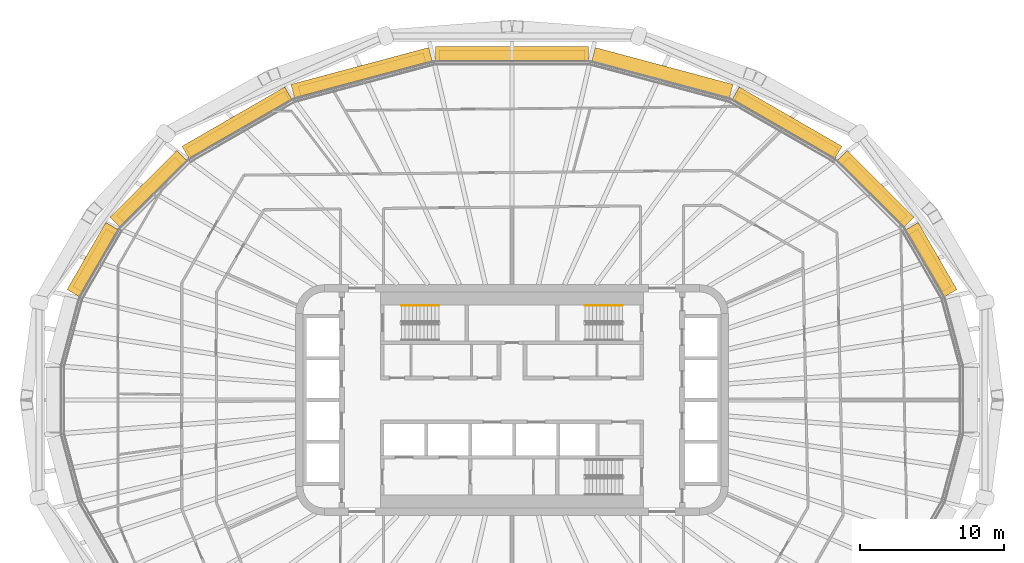
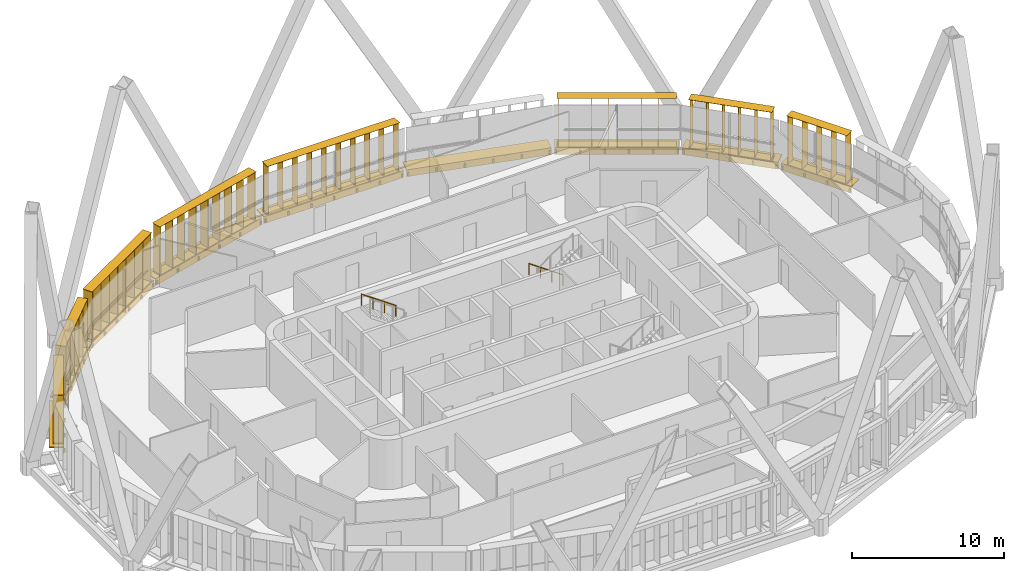
# One storey, part 24 of 25: 17 shading devices, 2 railings.
"""IFC4 building model written with IfcOpenShell, lengths in metres."""

from ifc_helpers import new_model, si_unit, direction, frame, origin, origin_2d, place, context, subcontext, project, spatial, rectangle, circle, extrude, material, type_object, element, save


model = new_model("IFC4")

# Units and contexts
model_context = context("Model", 3, precision=1e-05, world=origin(), true_north=direction((0.0, 1.0)))
body_context = subcontext(model_context, "Body", "Model", "MODEL_VIEW")
ifc_project = project(units=[si_unit("LENGTHUNIT", "METRE"), si_unit("AREAUNIT", "SQUARE_METRE"), si_unit("VOLUMEUNIT", "CUBIC_METRE"), si_unit("PLANEANGLEUNIT", "RADIAN"), si_unit("MASSUNIT", "GRAM", prefix="KILO")], contexts=[model_context])

# Site, building, storey
site_placement = place(None, origin())
site = spatial("IfcSite", under=ifc_project, at=site_placement, CompositionType="ELEMENT")
building_placement = place(site_placement, origin())
building = spatial("IfcBuilding", under=site, at=building_placement, Name="Sahrelin Media Tower", CompositionType="ELEMENT")
storey_placement = place(building_placement, frame((0.0, 0.0, 165.60009765625)))
storey = spatial("IfcBuildingStorey", under=building, at=storey_placement, Name="L34", CompositionType="ELEMENT", Elevation=165.60009765625)

# Shading devices
ifc_material_1 = material(Name="Champagne anodised aluminium 6063-T6", Category="aluminium")
shading_device_type_1 = type_object("IfcShadingDeviceType", Name="Fin cassette", PredefinedType="USERDEFINED", material=ifc_material_1)
placement_1 = place(storey_placement, frame((28.6279296875, 9.4697265625, 0.0), z_axis=(0.0, 0.0, 1.0), x_axis=(0.500011000363, -0.866019052629, 0.0)))
element("IfcShadingDevice", 1, at=placement_1, inside=storey, type_object=shading_device_type_1, Name="L34:FIN:L34-02", ObjectType="FIN", PredefinedType="USERDEFINED", context=body_context, shape_type="SweptSolid", body=[
    extrude(rectangle(XDim=4.60009765625, YDim=0.699951171875, at=origin_2d()), frame((0.0, 0.419921875, 0.0)), (0.0, 0.0, 1.0), 0.02001953125),
    extrude(rectangle(XDim=4.60009765625, YDim=0.699951171875, at=origin_2d()), frame((0.0, 0.419921875, 3.89990234375)), (0.0, 0.0, 1.0), 0.02001953125),
    extrude(rectangle(XDim=0.02001953125, YDim=0.699951171875, at=origin_2d()), frame((-2.199951171875, 0.419921875, 0.010009765625), z_axis=(0.0, 0.0, 1.0), x_axis=(1.0, 0.0, 0.0)), (0.0, 0.0, 1.0), 3.89990234375),
    extrude(rectangle(XDim=0.02001953125, YDim=0.699951171875, at=origin_2d()), frame((-1.10009765625, 0.419921875, 0.010009765625), z_axis=(0.0, 0.0, 1.0), x_axis=(1.0, 0.0, 0.0)), (0.0, 0.0, 1.0), 3.89990234375),
    extrude(rectangle(XDim=0.02001953125, YDim=0.699951171875, at=origin_2d()), frame((0.0, 0.419921875, 0.010009765625), z_axis=(0.0, 0.0, 1.0), x_axis=(1.0, 0.0, 0.0)), (0.0, 0.0, 1.0), 3.89990234375),
    extrude(rectangle(XDim=0.02001953125, YDim=0.699951171875, at=origin_2d()), frame((1.10009765625, 0.419921875, 0.010009765625), z_axis=(0.0, 0.0, 1.0), x_axis=(1.0, 0.0, 0.0)), (0.0, 0.0, 1.0), 3.89990234375),
    extrude(rectangle(XDim=0.02001953125, YDim=0.699951171875, at=origin_2d()), frame((2.199951171875, 0.419921875, 0.010009765625), z_axis=(0.0, 0.0, 1.0), x_axis=(1.0, 0.0, 0.0)), (0.0, 0.0, 1.0), 3.89990234375),
])
placement_2 = place(storey_placement, frame((24.847412109375, 14.268310546875, 0.0), z_axis=(0.0, 0.0, 1.0), x_axis=(0.707106781187, -0.707106781187, 0.0)))
element("IfcShadingDevice", 2, at=placement_2, inside=storey, type_object=shading_device_type_1, Name="L34:FIN:L34-03", ObjectType="FIN", PredefinedType="USERDEFINED", context=body_context, shape_type="SweptSolid", body=[
    extrude(rectangle(XDim=5.699951171875, YDim=0.699951171875, at=origin_2d()), frame((0.0, 0.419921875, 0.0)), (0.0, 0.0, 1.0), 0.02001953125),
    extrude(rectangle(XDim=5.699951171875, YDim=0.699951171875, at=origin_2d()), frame((0.0, 0.419921875, 3.89990234375)), (0.0, 0.0, 1.0), 0.02001953125),
    extrude(rectangle(XDim=0.02001953125, YDim=0.699951171875, at=origin_2d()), frame((-2.75, 0.419921875, 0.010009765625), z_axis=(0.0, 0.0, 1.0), x_axis=(1.0, 0.0, 0.0)), (0.0, 0.0, 1.0), 3.89990234375),
    extrude(rectangle(XDim=0.02001953125, YDim=0.699951171875, at=origin_2d()), frame((-1.64990234375, 0.419921875, 0.010009765625), z_axis=(0.0, 0.0, 1.0), x_axis=(1.0, 0.0, 0.0)), (0.0, 0.0, 1.0), 3.89990234375),
    extrude(rectangle(XDim=0.02001953125, YDim=0.699951171875, at=origin_2d()), frame((-0.550048828125, 0.419921875, 0.010009765625), z_axis=(0.0, 0.0, 1.0), x_axis=(1.0, 0.0, 0.0)), (0.0, 0.0, 1.0), 3.89990234375),
    extrude(rectangle(XDim=0.02001953125, YDim=0.699951171875, at=origin_2d()), frame((0.550048828125, 0.419921875, 0.010009765625), z_axis=(0.0, 0.0, 1.0), x_axis=(1.0, 0.0, 0.0)), (0.0, 0.0, 1.0), 3.89990234375),
    extrude(rectangle(XDim=0.02001953125, YDim=0.699951171875, at=origin_2d()), frame((1.64990234375, 0.419921875, 0.010009765625), z_axis=(0.0, 0.0, 1.0), x_axis=(1.0, 0.0, 0.0)), (0.0, 0.0, 1.0), 3.89990234375),
    extrude(rectangle(XDim=0.02001953125, YDim=0.699951171875, at=origin_2d()), frame((2.75, 0.419921875, 0.010009765625), z_axis=(0.0, 0.0, 1.0), x_axis=(1.0, 0.0, 0.0)), (0.0, 0.0, 1.0), 3.89990234375),
])
placement_3 = place(storey_placement, frame((18.811279296875, 18.76318359375, 0.0), z_axis=(0.0, 0.0, 1.0), x_axis=(0.866019052629, -0.500011000363, 0.0)))
element("IfcShadingDevice", 3, at=placement_3, inside=storey, type_object=shading_device_type_1, Name="L34:FIN:L34-04", ObjectType="FIN", PredefinedType="USERDEFINED", context=body_context, shape_type="SweptSolid", body=[
    extrude(rectangle(XDim=7.89990234375, YDim=0.699951171875, at=origin_2d()), frame((0.0, 0.419921875, 0.0)), (0.0, 0.0, 1.0), 0.02001953125),
    extrude(rectangle(XDim=7.89990234375, YDim=0.699951171875, at=origin_2d()), frame((0.0, 0.419921875, 3.89990234375)), (0.0, 0.0, 1.0), 0.02001953125),
    extrude(rectangle(XDim=0.02001953125, YDim=0.699951171875, at=origin_2d()), frame((-3.85009765625, 0.419921875, 0.010009765625), z_axis=(0.0, 0.0, 1.0), x_axis=(1.0, 0.0, 0.0)), (0.0, 0.0, 1.0), 3.89990234375),
    extrude(rectangle(XDim=0.02001953125, YDim=0.699951171875, at=origin_2d()), frame((-2.75, 0.419921875, 0.010009765625), z_axis=(0.0, 0.0, 1.0), x_axis=(1.0, 0.0, 0.0)), (0.0, 0.0, 1.0), 3.89990234375),
    extrude(rectangle(XDim=0.02001953125, YDim=0.699951171875, at=origin_2d()), frame((-1.64990234375, 0.419921875, 0.010009765625), z_axis=(0.0, 0.0, 1.0), x_axis=(1.0, 0.0, 0.0)), (0.0, 0.0, 1.0), 3.89990234375),
    extrude(rectangle(XDim=0.02001953125, YDim=0.699951171875, at=origin_2d()), frame((-0.550048828125, 0.419921875, 0.010009765625), z_axis=(0.0, 0.0, 1.0), x_axis=(1.0, 0.0, 0.0)), (0.0, 0.0, 1.0), 3.89990234375),
    extrude(rectangle(XDim=0.02001953125, YDim=0.699951171875, at=origin_2d()), frame((0.550048828125, 0.419921875, 0.010009765625), z_axis=(0.0, 0.0, 1.0), x_axis=(1.0, 0.0, 0.0)), (0.0, 0.0, 1.0), 3.89990234375),
    extrude(rectangle(XDim=0.02001953125, YDim=0.699951171875, at=origin_2d()), frame((1.64990234375, 0.419921875, 0.010009765625), z_axis=(0.0, 0.0, 1.0), x_axis=(1.0, 0.0, 0.0)), (0.0, 0.0, 1.0), 3.89990234375),
    extrude(rectangle(XDim=0.02001953125, YDim=0.699951171875, at=origin_2d()), frame((2.75, 0.419921875, 0.010009765625), z_axis=(0.0, 0.0, 1.0), x_axis=(1.0, 0.0, 0.0)), (0.0, 0.0, 1.0), 3.89990234375),
    extrude(rectangle(XDim=0.02001953125, YDim=0.699951171875, at=origin_2d()), frame((3.85009765625, 0.419921875, 0.010009765625), z_axis=(0.0, 0.0, 1.0), x_axis=(1.0, 0.0, 0.0)), (0.0, 0.0, 1.0), 3.89990234375),
])
placement_4 = place(storey_placement, frame((0.0, 23.480712890625, 0.0), z_axis=(0.0, 0.0, 1.0), x_axis=(1.0, 0.0, 0.0)))
element("IfcShadingDevice", 4, at=placement_4, inside=storey, type_object=shading_device_type_1, Name="L34:FIN:L34-06", ObjectType="FIN", PredefinedType="USERDEFINED", context=body_context, shape_type="SweptSolid", body=[
    extrude(rectangle(XDim=10.10009765625, YDim=0.699951171875, at=origin_2d()), frame((0.0, 0.419921875, 0.0)), (0.0, 0.0, 1.0), 0.02001953125),
    extrude(rectangle(XDim=10.10009765625, YDim=0.699951171875, at=origin_2d()), frame((0.0, 0.419921875, 3.89990234375)), (0.0, 0.0, 1.0), 0.02001953125),
    extrude(rectangle(XDim=0.02001953125, YDim=0.699951171875, at=origin_2d()), frame((-4.949951171875, 0.419921875, 0.010009765625), z_axis=(0.0, 0.0, 1.0), x_axis=(1.0, 0.0, 0.0)), (0.0, 0.0, 1.0), 3.89990234375),
    extrude(rectangle(XDim=0.02001953125, YDim=0.699951171875, at=origin_2d()), frame((-3.85009765625, 0.419921875, 0.010009765625), z_axis=(0.0, 0.0, 1.0), x_axis=(1.0, 0.0, 0.0)), (0.0, 0.0, 1.0), 3.89990234375),
    extrude(rectangle(XDim=0.02001953125, YDim=0.699951171875, at=origin_2d()), frame((-2.75, 0.419921875, 0.010009765625), z_axis=(0.0, 0.0, 1.0), x_axis=(1.0, 0.0, 0.0)), (0.0, 0.0, 1.0), 3.89990234375),
    extrude(rectangle(XDim=0.02001953125, YDim=0.699951171875, at=origin_2d()), frame((-1.64990234375, 0.419921875, 0.010009765625), z_axis=(0.0, 0.0, 1.0), x_axis=(1.0, 0.0, 0.0)), (0.0, 0.0, 1.0), 3.89990234375),
    extrude(rectangle(XDim=0.02001953125, YDim=0.699951171875, at=origin_2d()), frame((-0.550048828125, 0.419921875, 0.010009765625), z_axis=(0.0, 0.0, 1.0), x_axis=(1.0, 0.0, 0.0)), (0.0, 0.0, 1.0), 3.89990234375),
    extrude(rectangle(XDim=0.02001953125, YDim=0.699951171875, at=origin_2d()), frame((0.550048828125, 0.419921875, 0.010009765625), z_axis=(0.0, 0.0, 1.0), x_axis=(1.0, 0.0, 0.0)), (0.0, 0.0, 1.0), 3.89990234375),
    extrude(rectangle(XDim=0.02001953125, YDim=0.699951171875, at=origin_2d()), frame((1.64990234375, 0.419921875, 0.010009765625), z_axis=(0.0, 0.0, 1.0), x_axis=(1.0, 0.0, 0.0)), (0.0, 0.0, 1.0), 3.89990234375),
    extrude(rectangle(XDim=0.02001953125, YDim=0.699951171875, at=origin_2d()), frame((2.75, 0.419921875, 0.010009765625), z_axis=(0.0, 0.0, 1.0), x_axis=(1.0, 0.0, 0.0)), (0.0, 0.0, 1.0), 3.89990234375),
    extrude(rectangle(XDim=0.02001953125, YDim=0.699951171875, at=origin_2d()), frame((3.85009765625, 0.419921875, 0.010009765625), z_axis=(0.0, 0.0, 1.0), x_axis=(1.0, 0.0, 0.0)), (0.0, 0.0, 1.0), 3.89990234375),
    extrude(rectangle(XDim=0.02001953125, YDim=0.699951171875, at=origin_2d()), frame((4.949951171875, 0.419921875, 0.010009765625), z_axis=(0.0, 0.0, 1.0), x_axis=(1.0, 0.0, 0.0)), (0.0, 0.0, 1.0), 3.89990234375),
])
placement_5 = place(storey_placement, frame((-10.29052734375, 22.1748046875, 0.0), z_axis=(0.0, 0.0, 1.0), x_axis=(0.965928857556, 0.258807731996, 0.0)))
element("IfcShadingDevice", 5, at=placement_5, inside=storey, type_object=shading_device_type_1, Name="L34:FIN:L34-07", ObjectType="FIN", PredefinedType="USERDEFINED", context=body_context, shape_type="SweptSolid", body=[
    extrude(rectangle(XDim=9.0, YDim=0.699951171875, at=origin_2d()), frame((0.0, 0.419921875, 0.0)), (0.0, 0.0, 1.0), 0.02001953125),
    extrude(rectangle(XDim=9.0, YDim=0.699951171875, at=origin_2d()), frame((0.0, 0.419921875, 3.89990234375)), (0.0, 0.0, 1.0), 0.02001953125),
    extrude(rectangle(XDim=0.02001953125, YDim=0.699951171875, at=origin_2d()), frame((-4.39990234375, 0.419921875, 0.010009765625), z_axis=(0.0, 0.0, 1.0), x_axis=(1.0, 0.0, 0.0)), (0.0, 0.0, 1.0), 3.89990234375),
    extrude(rectangle(XDim=0.02001953125, YDim=0.699951171875, at=origin_2d()), frame((-3.300048828125, 0.419921875, 0.010009765625), z_axis=(0.0, 0.0, 1.0), x_axis=(1.0, 0.0, 0.0)), (0.0, 0.0, 1.0), 3.89990234375),
    extrude(rectangle(XDim=0.02001953125, YDim=0.699951171875, at=origin_2d()), frame((-2.199951171875, 0.419921875, 0.010009765625), z_axis=(0.0, 0.0, 1.0), x_axis=(1.0, 0.0, 0.0)), (0.0, 0.0, 1.0), 3.89990234375),
    extrude(rectangle(XDim=0.02001953125, YDim=0.699951171875, at=origin_2d()), frame((-1.10009765625, 0.419921875, 0.010009765625), z_axis=(0.0, 0.0, 1.0), x_axis=(1.0, 0.0, 0.0)), (0.0, 0.0, 1.0), 3.89990234375),
    extrude(rectangle(XDim=0.02001953125, YDim=0.699951171875, at=origin_2d()), frame((0.0, 0.419921875, 0.010009765625), z_axis=(0.0, 0.0, 1.0), x_axis=(1.0, 0.0, 0.0)), (0.0, 0.0, 1.0), 3.89990234375),
    extrude(rectangle(XDim=0.02001953125, YDim=0.699951171875, at=origin_2d()), frame((1.10009765625, 0.419921875, 0.010009765625), z_axis=(0.0, 0.0, 1.0), x_axis=(1.0, 0.0, 0.0)), (0.0, 0.0, 1.0), 3.89990234375),
    extrude(rectangle(XDim=0.02001953125, YDim=0.699951171875, at=origin_2d()), frame((2.199951171875, 0.419921875, 0.010009765625), z_axis=(0.0, 0.0, 1.0), x_axis=(1.0, 0.0, 0.0)), (0.0, 0.0, 1.0), 3.89990234375),
    extrude(rectangle(XDim=0.02001953125, YDim=0.699951171875, at=origin_2d()), frame((3.300048828125, 0.419921875, 0.010009765625), z_axis=(0.0, 0.0, 1.0), x_axis=(1.0, 0.0, 0.0)), (0.0, 0.0, 1.0), 3.89990234375),
    extrude(rectangle(XDim=0.02001953125, YDim=0.699951171875, at=origin_2d()), frame((4.39990234375, 0.419921875, 0.010009765625), z_axis=(0.0, 0.0, 1.0), x_axis=(1.0, 0.0, 0.0)), (0.0, 0.0, 1.0), 3.89990234375),
])
placement_6 = place(storey_placement, frame((-18.81103515625, 18.76318359375, 0.0), z_axis=(0.0, 0.0, 1.0), x_axis=(0.866019052629, 0.500011000363, 0.0)))
element("IfcShadingDevice", 6, at=placement_6, inside=storey, type_object=shading_device_type_1, Name="L34:FIN:L34-08", ObjectType="FIN", PredefinedType="USERDEFINED", context=body_context, shape_type="SweptSolid", body=[
    extrude(rectangle(XDim=7.89990234375, YDim=0.699951171875, at=origin_2d()), frame((0.0, 0.419921875, 0.0)), (0.0, 0.0, 1.0), 0.02001953125),
    extrude(rectangle(XDim=7.89990234375, YDim=0.699951171875, at=origin_2d()), frame((0.0, 0.419921875, 3.89990234375)), (0.0, 0.0, 1.0), 0.02001953125),
    extrude(rectangle(XDim=0.02001953125, YDim=0.699951171875, at=origin_2d()), frame((-3.85009765625, 0.419921875, 0.010009765625), z_axis=(0.0, 0.0, 1.0), x_axis=(1.0, 0.0, 0.0)), (0.0, 0.0, 1.0), 3.89990234375),
    extrude(rectangle(XDim=0.02001953125, YDim=0.699951171875, at=origin_2d()), frame((-2.75, 0.419921875, 0.010009765625), z_axis=(0.0, 0.0, 1.0), x_axis=(1.0, 0.0, 0.0)), (0.0, 0.0, 1.0), 3.89990234375),
    extrude(rectangle(XDim=0.02001953125, YDim=0.699951171875, at=origin_2d()), frame((-1.64990234375, 0.419921875, 0.010009765625), z_axis=(0.0, 0.0, 1.0), x_axis=(1.0, 0.0, 0.0)), (0.0, 0.0, 1.0), 3.89990234375),
    extrude(rectangle(XDim=0.02001953125, YDim=0.699951171875, at=origin_2d()), frame((-0.550048828125, 0.419921875, 0.010009765625), z_axis=(0.0, 0.0, 1.0), x_axis=(1.0, 0.0, 0.0)), (0.0, 0.0, 1.0), 3.89990234375),
    extrude(rectangle(XDim=0.02001953125, YDim=0.699951171875, at=origin_2d()), frame((0.550048828125, 0.419921875, 0.010009765625), z_axis=(0.0, 0.0, 1.0), x_axis=(1.0, 0.0, 0.0)), (0.0, 0.0, 1.0), 3.89990234375),
    extrude(rectangle(XDim=0.02001953125, YDim=0.699951171875, at=origin_2d()), frame((1.64990234375, 0.419921875, 0.010009765625), z_axis=(0.0, 0.0, 1.0), x_axis=(1.0, 0.0, 0.0)), (0.0, 0.0, 1.0), 3.89990234375),
    extrude(rectangle(XDim=0.02001953125, YDim=0.699951171875, at=origin_2d()), frame((2.75, 0.419921875, 0.010009765625), z_axis=(0.0, 0.0, 1.0), x_axis=(1.0, 0.0, 0.0)), (0.0, 0.0, 1.0), 3.89990234375),
    extrude(rectangle(XDim=0.02001953125, YDim=0.699951171875, at=origin_2d()), frame((3.85009765625, 0.419921875, 0.010009765625), z_axis=(0.0, 0.0, 1.0), x_axis=(1.0, 0.0, 0.0)), (0.0, 0.0, 1.0), 3.89990234375),
])
placement_7 = place(storey_placement, frame((-24.84765625, 14.268310546875, 0.0), z_axis=(0.0, 0.0, 1.0), x_axis=(0.707106781187, 0.707106781187, 0.0)))
element("IfcShadingDevice", 7, at=placement_7, inside=storey, type_object=shading_device_type_1, Name="L34:FIN:L34-09", ObjectType="FIN", PredefinedType="USERDEFINED", context=body_context, shape_type="SweptSolid", body=[
    extrude(rectangle(XDim=5.699951171875, YDim=0.699951171875, at=origin_2d()), frame((0.0, 0.419921875, 0.0)), (0.0, 0.0, 1.0), 0.02001953125),
    extrude(rectangle(XDim=5.699951171875, YDim=0.699951171875, at=origin_2d()), frame((0.0, 0.419921875, 3.89990234375)), (0.0, 0.0, 1.0), 0.02001953125),
    extrude(rectangle(XDim=0.02001953125, YDim=0.699951171875, at=origin_2d()), frame((-2.75, 0.419921875, 0.010009765625), z_axis=(0.0, 0.0, 1.0), x_axis=(1.0, 0.0, 0.0)), (0.0, 0.0, 1.0), 3.89990234375),
    extrude(rectangle(XDim=0.02001953125, YDim=0.699951171875, at=origin_2d()), frame((-1.64990234375, 0.419921875, 0.010009765625), z_axis=(0.0, 0.0, 1.0), x_axis=(1.0, 0.0, 0.0)), (0.0, 0.0, 1.0), 3.89990234375),
    extrude(rectangle(XDim=0.02001953125, YDim=0.699951171875, at=origin_2d()), frame((-0.550048828125, 0.419921875, 0.010009765625), z_axis=(0.0, 0.0, 1.0), x_axis=(1.0, 0.0, 0.0)), (0.0, 0.0, 1.0), 3.89990234375),
    extrude(rectangle(XDim=0.02001953125, YDim=0.699951171875, at=origin_2d()), frame((0.550048828125, 0.419921875, 0.010009765625), z_axis=(0.0, 0.0, 1.0), x_axis=(1.0, 0.0, 0.0)), (0.0, 0.0, 1.0), 3.89990234375),
    extrude(rectangle(XDim=0.02001953125, YDim=0.699951171875, at=origin_2d()), frame((1.64990234375, 0.419921875, 0.010009765625), z_axis=(0.0, 0.0, 1.0), x_axis=(1.0, 0.0, 0.0)), (0.0, 0.0, 1.0), 3.89990234375),
    extrude(rectangle(XDim=0.02001953125, YDim=0.699951171875, at=origin_2d()), frame((2.75, 0.419921875, 0.010009765625), z_axis=(0.0, 0.0, 1.0), x_axis=(1.0, 0.0, 0.0)), (0.0, 0.0, 1.0), 3.89990234375),
])
placement_8 = place(storey_placement, frame((-28.627685546875, 9.4697265625, 0.0), z_axis=(0.0, 0.0, 1.0), x_axis=(0.500011000363, 0.866019052629, 0.0)))
element("IfcShadingDevice", 8, at=placement_8, inside=storey, type_object=shading_device_type_1, Name="L34:FIN:L34-10", ObjectType="FIN", PredefinedType="USERDEFINED", context=body_context, shape_type="SweptSolid", body=[
    extrude(rectangle(XDim=4.60009765625, YDim=0.699951171875, at=origin_2d()), frame((0.0, 0.419921875, 0.0)), (0.0, 0.0, 1.0), 0.02001953125),
    extrude(rectangle(XDim=4.60009765625, YDim=0.699951171875, at=origin_2d()), frame((0.0, 0.419921875, 3.89990234375)), (0.0, 0.0, 1.0), 0.02001953125),
    extrude(rectangle(XDim=0.02001953125, YDim=0.699951171875, at=origin_2d()), frame((-2.199951171875, 0.419921875, 0.010009765625), z_axis=(0.0, 0.0, 1.0), x_axis=(1.0, 0.0, 0.0)), (0.0, 0.0, 1.0), 3.89990234375),
    extrude(rectangle(XDim=0.02001953125, YDim=0.699951171875, at=origin_2d()), frame((-1.10009765625, 0.419921875, 0.010009765625), z_axis=(0.0, 0.0, 1.0), x_axis=(1.0, 0.0, 0.0)), (0.0, 0.0, 1.0), 3.89990234375),
    extrude(rectangle(XDim=0.02001953125, YDim=0.699951171875, at=origin_2d()), frame((0.0, 0.419921875, 0.010009765625), z_axis=(0.0, 0.0, 1.0), x_axis=(1.0, 0.0, 0.0)), (0.0, 0.0, 1.0), 3.89990234375),
    extrude(rectangle(XDim=0.02001953125, YDim=0.699951171875, at=origin_2d()), frame((1.10009765625, 0.419921875, 0.010009765625), z_axis=(0.0, 0.0, 1.0), x_axis=(1.0, 0.0, 0.0)), (0.0, 0.0, 1.0), 3.89990234375),
    extrude(rectangle(XDim=0.02001953125, YDim=0.699951171875, at=origin_2d()), frame((2.199951171875, 0.419921875, 0.010009765625), z_axis=(0.0, 0.0, 1.0), x_axis=(1.0, 0.0, 0.0)), (0.0, 0.0, 1.0), 3.89990234375),
])

# Railings
ifc_material_2 = material(Name="Steel S355", Category="steel")
railing_type = type_object("IfcRailingType", Name="Stair handrail 900", PredefinedType="HANDRAIL", material=ifc_material_2)
for number, where, name in (
    (9, (-5.074951171875, 6.550048828125, 2.181640625), "L34 ST1 stair handrail 2"),
    (10, (7.675048828125, 6.550048828125, 0.181640625), "L34 ST3 stair handrail 1"),
):
    element("IfcRailing", number, at=place(storey_placement, frame(where)), inside=storey, type_object=railing_type, Name=name, PredefinedType="HANDRAIL", context=body_context, shape_type="SweptSolid", body=[
        extrude(circle(Radius=0.02392578125, at=origin_2d()), frame((0.0, 0.0, 0.8759765625), z_axis=(-0.819484887739, 0.0, 0.573100792852), x_axis=(0.0, -1.0, 0.0)), (0.0, 0.0, 1.0), 3.1728515625),
        extrude(circle(Radius=0.02099609375, at=origin_2d()), origin(), (0.0, 0.0, 1.0), 0.851806640625),
        extrude(circle(Radius=0.02099609375, at=origin_2d()), frame((-0.86669921875, 0.0, 0.606201171875)), (0.0, 0.0, 1.0), 0.851806640625),
        extrude(circle(Radius=0.02099609375, at=origin_2d()), frame((-1.7333984375, 0.0, 1.212158203125)), (0.0, 0.0, 1.0), 0.851806640625),
        extrude(circle(Radius=0.02099609375, at=origin_2d()), frame((-2.60009765625, 0.0, 1.818359375)), (0.0, 0.0, 1.0), 0.851806640625),
    ])

# Shading devices
shading_device_type_2 = type_object("IfcShadingDeviceType", Name="Sunshade band", PredefinedType="USERDEFINED", material=ifc_material_1)
element("IfcShadingDevice", 11, at=placement_1, inside=storey, type_object=shading_device_type_2, Name="L34:SUN:L34-02", ObjectType="SUNSHADE", PredefinedType="USERDEFINED", context=body_context, shape_type="SweptSolid", body=[
    extrude(rectangle(XDim=5.36328125, YDim=0.050048828125, at=origin_2d()), frame((0.0, 0.044921875, -0.55126953125)), (0.0, 0.0, 1.0), 0.471435546875),
    extrude(rectangle(XDim=5.36328125, YDim=1.0, at=origin_2d()), frame((0.0, 0.52001953125, -0.080078125)), (0.0, 0.0, 1.0), 0.080078125),
    extrude(rectangle(XDim=0.10009765625, YDim=0.074951171875, at=origin_2d()), frame((-2.581787109375, -0.017578125, -0.47021484375)), (0.0, 0.0, 1.0), 0.300048828125),
    extrude(rectangle(XDim=0.10009765625, YDim=0.074951171875, at=origin_2d()), frame((-0.860595703125, -0.017578125, -0.47021484375)), (0.0, 0.0, 1.0), 0.300048828125),
    extrude(rectangle(XDim=0.10009765625, YDim=0.074951171875, at=origin_2d()), frame((0.860595703125, -0.017578125, -0.47021484375)), (0.0, 0.0, 1.0), 0.300048828125),
    extrude(rectangle(XDim=0.10009765625, YDim=0.074951171875, at=origin_2d()), frame((2.581787109375, -0.017578125, -0.47021484375)), (0.0, 0.0, 1.0), 0.300048828125),
])
element("IfcShadingDevice", 12, at=placement_2, inside=storey, type_object=shading_device_type_2, Name="L34:SUN:L34-03", ObjectType="SUNSHADE", PredefinedType="USERDEFINED", context=body_context, shape_type="SweptSolid", body=[
    extrude(rectangle(XDim=6.55859375, YDim=0.050048828125, at=origin_2d()), frame((0.0, 0.044921875, -0.55126953125)), (0.0, 0.0, 1.0), 0.471435546875),
    extrude(rectangle(XDim=6.55859375, YDim=1.0, at=origin_2d()), frame((0.0, 0.52001953125, -0.080078125)), (0.0, 0.0, 1.0), 0.080078125),
    extrude(rectangle(XDim=0.10009765625, YDim=0.074951171875, at=origin_2d()), frame((-3.17919921875, -0.017578125, -0.47021484375)), (0.0, 0.0, 1.0), 0.300048828125),
    extrude(rectangle(XDim=0.10009765625, YDim=0.074951171875, at=origin_2d()), frame((-1.589599609375, -0.017578125, -0.47021484375)), (0.0, 0.0, 1.0), 0.300048828125),
    extrude(rectangle(XDim=0.10009765625, YDim=0.074951171875, at=origin_2d()), frame((0.0, -0.017578125, -0.47021484375)), (0.0, 0.0, 1.0), 0.300048828125),
    extrude(rectangle(XDim=0.10009765625, YDim=0.074951171875, at=origin_2d()), frame((1.589599609375, -0.017578125, -0.47021484375)), (0.0, 0.0, 1.0), 0.300048828125),
    extrude(rectangle(XDim=0.10009765625, YDim=0.074951171875, at=origin_2d()), frame((3.17919921875, -0.017578125, -0.47021484375)), (0.0, 0.0, 1.0), 0.300048828125),
])
element("IfcShadingDevice", 13, at=placement_3, inside=storey, type_object=shading_device_type_2, Name="L34:SUN:L34-04", ObjectType="SUNSHADE", PredefinedType="USERDEFINED", context=body_context, shape_type="SweptSolid", body=[
    extrude(rectangle(XDim=8.222412109375, YDim=0.050048828125, at=origin_2d()), frame((0.0, 0.044921875, -0.55126953125)), (0.0, 0.0, 1.0), 0.471435546875),
    extrude(rectangle(XDim=8.222412109375, YDim=1.0, at=origin_2d()), frame((0.0, 0.52001953125, -0.080078125)), (0.0, 0.0, 1.0), 0.080078125),
    extrude(rectangle(XDim=0.10009765625, YDim=0.074951171875, at=origin_2d()), frame((-4.010986328125, -0.017578125, -0.47021484375)), (0.0, 0.0, 1.0), 0.300048828125),
    extrude(rectangle(XDim=0.10009765625, YDim=0.074951171875, at=origin_2d()), frame((-2.40673828125, -0.017578125, -0.47021484375)), (0.0, 0.0, 1.0), 0.300048828125),
    extrude(rectangle(XDim=0.10009765625, YDim=0.074951171875, at=origin_2d()), frame((-0.80224609375, -0.017578125, -0.47021484375)), (0.0, 0.0, 1.0), 0.300048828125),
    extrude(rectangle(XDim=0.10009765625, YDim=0.074951171875, at=origin_2d()), frame((0.80224609375, -0.017578125, -0.47021484375)), (0.0, 0.0, 1.0), 0.300048828125),
    extrude(rectangle(XDim=0.10009765625, YDim=0.074951171875, at=origin_2d()), frame((2.40673828125, -0.017578125, -0.47021484375)), (0.0, 0.0, 1.0), 0.300048828125),
    extrude(rectangle(XDim=0.10009765625, YDim=0.074951171875, at=origin_2d()), frame((4.010986328125, -0.017578125, -0.47021484375)), (0.0, 0.0, 1.0), 0.300048828125),
])
shading_device_12_placement = place(storey_placement, frame((10.29052734375, 22.1748046875, 0.0), z_axis=(0.0, 0.0, 1.0), x_axis=(0.965928857556, -0.258807731996, 0.0)))
element("IfcShadingDevice", 14, at=shading_device_12_placement, inside=storey, type_object=shading_device_type_2, Name="L34:SUN:L34-05", ObjectType="SUNSHADE", PredefinedType="USERDEFINED", context=body_context, shape_type="SweptSolid", body=[
    extrude(rectangle(XDim=9.89111328125, YDim=0.050048828125, at=origin_2d()), frame((0.0, 0.044921875, -0.55126953125)), (0.0, 0.0, 1.0), 0.471435546875),
    extrude(rectangle(XDim=9.89111328125, YDim=1.0, at=origin_2d()), frame((0.0, 0.52001953125, -0.080078125)), (0.0, 0.0, 1.0), 0.080078125),
    extrude(rectangle(XDim=0.10009765625, YDim=0.074951171875, at=origin_2d()), frame((-4.845703125, -0.017578125, -0.47021484375)), (0.0, 0.0, 1.0), 0.300048828125),
    extrude(rectangle(XDim=0.10009765625, YDim=0.074951171875, at=origin_2d()), frame((-2.907470703125, -0.017578125, -0.47021484375)), (0.0, 0.0, 1.0), 0.300048828125),
    extrude(rectangle(XDim=0.10009765625, YDim=0.074951171875, at=origin_2d()), frame((-0.968994140625, -0.017578125, -0.47021484375)), (0.0, 0.0, 1.0), 0.300048828125),
    extrude(rectangle(XDim=0.10009765625, YDim=0.074951171875, at=origin_2d()), frame((0.968994140625, -0.017578125, -0.47021484375)), (0.0, 0.0, 1.0), 0.300048828125),
    extrude(rectangle(XDim=0.10009765625, YDim=0.074951171875, at=origin_2d()), frame((2.907470703125, -0.017578125, -0.47021484375)), (0.0, 0.0, 1.0), 0.300048828125),
    extrude(rectangle(XDim=0.10009765625, YDim=0.074951171875, at=origin_2d()), frame((4.845703125, -0.017578125, -0.47021484375)), (0.0, 0.0, 1.0), 0.300048828125),
])
element("IfcShadingDevice", 15, at=placement_4, inside=storey, type_object=shading_device_type_2, Name="L34:SUN:L34-06", ObjectType="SUNSHADE", PredefinedType="USERDEFINED", context=body_context, shape_type="SweptSolid", body=[
    extrude(rectangle(XDim=10.633544921875, YDim=0.050048828125, at=origin_2d()), frame((0.0, 0.044921875, -0.55126953125)), (0.0, 0.0, 1.0), 0.471435546875),
    extrude(rectangle(XDim=10.633544921875, YDim=1.0, at=origin_2d()), frame((0.0, 0.52001953125, -0.080078125)), (0.0, 0.0, 1.0), 0.080078125),
    extrude(rectangle(XDim=0.10009765625, YDim=0.074951171875, at=origin_2d()), frame((-5.216796875, -0.017578125, -0.47021484375)), (0.0, 0.0, 1.0), 0.300048828125),
    extrude(rectangle(XDim=0.10009765625, YDim=0.074951171875, at=origin_2d()), frame((-3.477783203125, -0.017578125, -0.47021484375)), (0.0, 0.0, 1.0), 0.300048828125),
    extrude(rectangle(XDim=0.10009765625, YDim=0.074951171875, at=origin_2d()), frame((-1.739013671875, -0.017578125, -0.47021484375)), (0.0, 0.0, 1.0), 0.300048828125),
    extrude(rectangle(XDim=0.10009765625, YDim=0.074951171875, at=origin_2d()), frame((0.0, -0.017578125, -0.47021484375)), (0.0, 0.0, 1.0), 0.300048828125),
    extrude(rectangle(XDim=0.10009765625, YDim=0.074951171875, at=origin_2d()), frame((1.739013671875, -0.017578125, -0.47021484375)), (0.0, 0.0, 1.0), 0.300048828125),
    extrude(rectangle(XDim=0.10009765625, YDim=0.074951171875, at=origin_2d()), frame((3.477783203125, -0.017578125, -0.47021484375)), (0.0, 0.0, 1.0), 0.300048828125),
    extrude(rectangle(XDim=0.10009765625, YDim=0.074951171875, at=origin_2d()), frame((5.216796875, -0.017578125, -0.47021484375)), (0.0, 0.0, 1.0), 0.300048828125),
])
element("IfcShadingDevice", 16, at=placement_5, inside=storey, type_object=shading_device_type_2, Name="L34:SUN:L34-07", ObjectType="SUNSHADE", PredefinedType="USERDEFINED", context=body_context, shape_type="SweptSolid", body=[
    extrude(rectangle(XDim=9.89111328125, YDim=0.050048828125, at=origin_2d()), frame((0.0, 0.044921875, -0.55126953125)), (0.0, 0.0, 1.0), 0.471435546875),
    extrude(rectangle(XDim=9.89111328125, YDim=1.0, at=origin_2d()), frame((0.0, 0.52001953125, -0.080078125)), (0.0, 0.0, 1.0), 0.080078125),
    extrude(rectangle(XDim=0.10009765625, YDim=0.074951171875, at=origin_2d()), frame((-4.845703125, -0.017578125, -0.47021484375)), (0.0, 0.0, 1.0), 0.300048828125),
    extrude(rectangle(XDim=0.10009765625, YDim=0.074951171875, at=origin_2d()), frame((-2.907470703125, -0.017578125, -0.47021484375)), (0.0, 0.0, 1.0), 0.300048828125),
    extrude(rectangle(XDim=0.10009765625, YDim=0.074951171875, at=origin_2d()), frame((-0.968994140625, -0.017578125, -0.47021484375)), (0.0, 0.0, 1.0), 0.300048828125),
    extrude(rectangle(XDim=0.10009765625, YDim=0.074951171875, at=origin_2d()), frame((0.968994140625, -0.017578125, -0.47021484375)), (0.0, 0.0, 1.0), 0.300048828125),
    extrude(rectangle(XDim=0.10009765625, YDim=0.074951171875, at=origin_2d()), frame((2.907470703125, -0.017578125, -0.47021484375)), (0.0, 0.0, 1.0), 0.300048828125),
    extrude(rectangle(XDim=0.10009765625, YDim=0.074951171875, at=origin_2d()), frame((4.845703125, -0.017578125, -0.47021484375)), (0.0, 0.0, 1.0), 0.300048828125),
])
element("IfcShadingDevice", 17, at=placement_6, inside=storey, type_object=shading_device_type_2, Name="L34:SUN:L34-08", ObjectType="SUNSHADE", PredefinedType="USERDEFINED", context=body_context, shape_type="SweptSolid", body=[
    extrude(rectangle(XDim=8.222412109375, YDim=0.050048828125, at=origin_2d()), frame((0.0, 0.044921875, -0.55126953125)), (0.0, 0.0, 1.0), 0.471435546875),
    extrude(rectangle(XDim=8.222412109375, YDim=1.0, at=origin_2d()), frame((0.0, 0.52001953125, -0.080078125)), (0.0, 0.0, 1.0), 0.080078125),
    extrude(rectangle(XDim=0.10009765625, YDim=0.074951171875, at=origin_2d()), frame((-4.010986328125, -0.017578125, -0.47021484375)), (0.0, 0.0, 1.0), 0.300048828125),
    extrude(rectangle(XDim=0.10009765625, YDim=0.074951171875, at=origin_2d()), frame((-2.40673828125, -0.017578125, -0.47021484375)), (0.0, 0.0, 1.0), 0.300048828125),
    extrude(rectangle(XDim=0.10009765625, YDim=0.074951171875, at=origin_2d()), frame((-0.80224609375, -0.017578125, -0.47021484375)), (0.0, 0.0, 1.0), 0.300048828125),
    extrude(rectangle(XDim=0.10009765625, YDim=0.074951171875, at=origin_2d()), frame((0.80224609375, -0.017578125, -0.47021484375)), (0.0, 0.0, 1.0), 0.300048828125),
    extrude(rectangle(XDim=0.10009765625, YDim=0.074951171875, at=origin_2d()), frame((2.40673828125, -0.017578125, -0.47021484375)), (0.0, 0.0, 1.0), 0.300048828125),
    extrude(rectangle(XDim=0.10009765625, YDim=0.074951171875, at=origin_2d()), frame((4.010986328125, -0.017578125, -0.47021484375)), (0.0, 0.0, 1.0), 0.300048828125),
])
element("IfcShadingDevice", 18, at=placement_7, inside=storey, type_object=shading_device_type_2, Name="L34:SUN:L34-09", ObjectType="SUNSHADE", PredefinedType="USERDEFINED", context=body_context, shape_type="SweptSolid", body=[
    extrude(rectangle(XDim=6.55859375, YDim=0.050048828125, at=origin_2d()), frame((0.0, 0.044921875, -0.55126953125)), (0.0, 0.0, 1.0), 0.471435546875),
    extrude(rectangle(XDim=6.55859375, YDim=1.0, at=origin_2d()), frame((0.0, 0.52001953125, -0.080078125)), (0.0, 0.0, 1.0), 0.080078125),
    extrude(rectangle(XDim=0.10009765625, YDim=0.074951171875, at=origin_2d()), frame((-3.17919921875, -0.017578125, -0.47021484375)), (0.0, 0.0, 1.0), 0.300048828125),
    extrude(rectangle(XDim=0.10009765625, YDim=0.074951171875, at=origin_2d()), frame((-1.589599609375, -0.017578125, -0.47021484375)), (0.0, 0.0, 1.0), 0.300048828125),
    extrude(rectangle(XDim=0.10009765625, YDim=0.074951171875, at=origin_2d()), frame((0.0, -0.017578125, -0.47021484375)), (0.0, 0.0, 1.0), 0.300048828125),
    extrude(rectangle(XDim=0.10009765625, YDim=0.074951171875, at=origin_2d()), frame((1.589599609375, -0.017578125, -0.47021484375)), (0.0, 0.0, 1.0), 0.300048828125),
    extrude(rectangle(XDim=0.10009765625, YDim=0.074951171875, at=origin_2d()), frame((3.17919921875, -0.017578125, -0.47021484375)), (0.0, 0.0, 1.0), 0.300048828125),
])
element("IfcShadingDevice", 19, at=placement_8, inside=storey, type_object=shading_device_type_2, Name="L34:SUN:L34-10", ObjectType="SUNSHADE", PredefinedType="USERDEFINED", context=body_context, shape_type="SweptSolid", body=[
    extrude(rectangle(XDim=5.36328125, YDim=0.050048828125, at=origin_2d()), frame((0.0, 0.044921875, -0.55126953125)), (0.0, 0.0, 1.0), 0.471435546875),
    extrude(rectangle(XDim=5.36328125, YDim=1.0, at=origin_2d()), frame((0.0, 0.52001953125, -0.080078125)), (0.0, 0.0, 1.0), 0.080078125),
    extrude(rectangle(XDim=0.10009765625, YDim=0.074951171875, at=origin_2d()), frame((-2.581787109375, -0.017578125, -0.47021484375)), (0.0, 0.0, 1.0), 0.300048828125),
    extrude(rectangle(XDim=0.10009765625, YDim=0.074951171875, at=origin_2d()), frame((-0.860595703125, -0.017578125, -0.47021484375)), (0.0, 0.0, 1.0), 0.300048828125),
    extrude(rectangle(XDim=0.10009765625, YDim=0.074951171875, at=origin_2d()), frame((0.860595703125, -0.017578125, -0.47021484375)), (0.0, 0.0, 1.0), 0.300048828125),
    extrude(rectangle(XDim=0.10009765625, YDim=0.074951171875, at=origin_2d()), frame((2.581787109375, -0.017578125, -0.47021484375)), (0.0, 0.0, 1.0), 0.300048828125),
])

save(model, "model.ifc")
